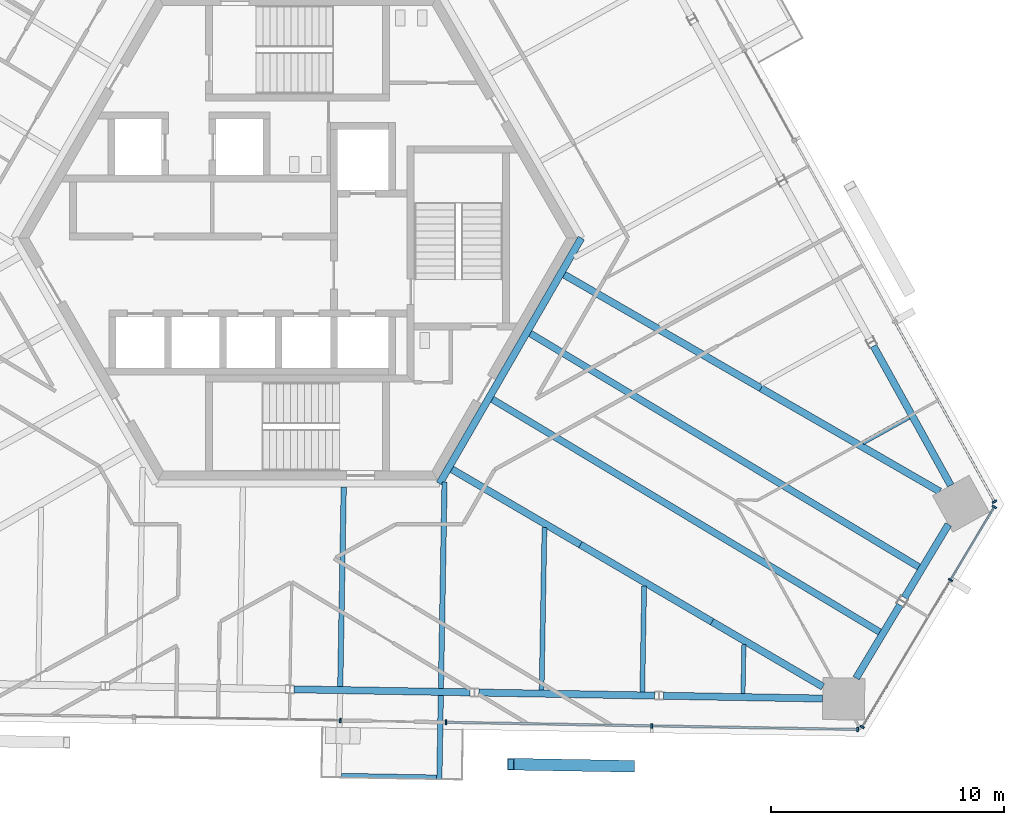
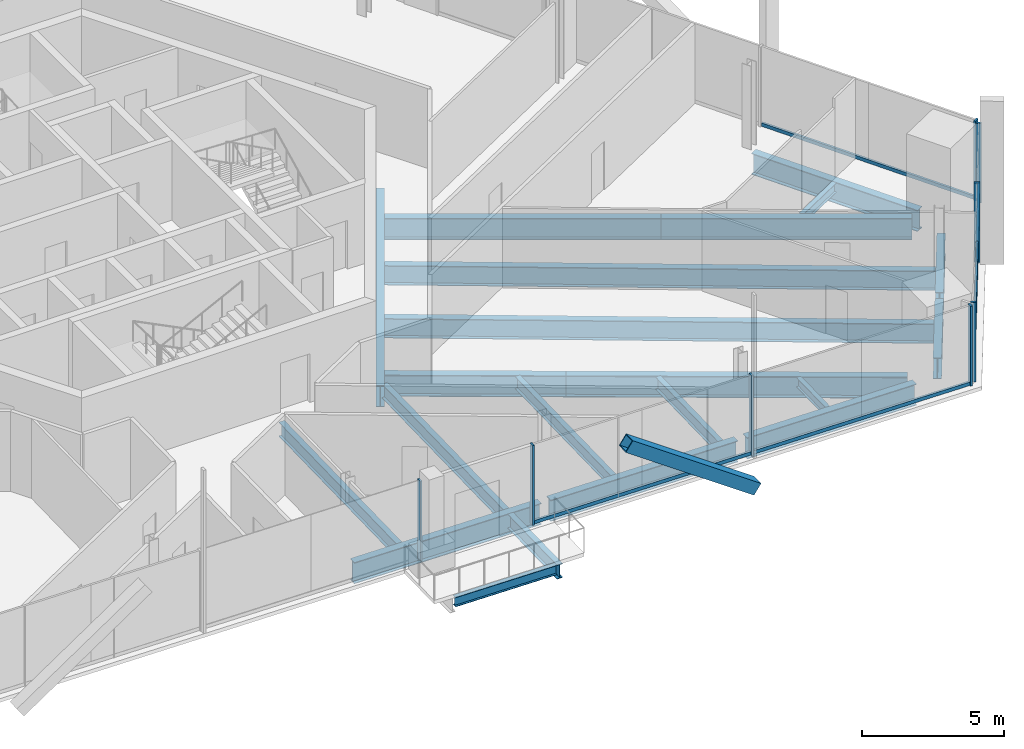
# One storey, part 6 of 21: 22 beams, 14 members, 4 elements without a shape of their own.
"""IFC4 building model written with IfcOpenShell, lengths in metres."""

import ifcopenshell
import ifcopenshell.guid

model = None  # the IFC model being written
_history = None  # IfcOwnerHistory: only IFC2X3 demands one
_inside = {}  # id of a spatial element -> (the spatial element, [elements in it])
_under = {}  # id of a project, library or spatial element -> (it, [spatial elements below it])
_declared = {}  # id of a project -> (the project, [libraries it declares])
_typed = {}  # id of a type object -> (the type object, [elements of that type])
_made_of = {}  # id of a material, layer set ... -> (it, [elements and type objects made of it])


def new_model(schema):
    """Start an empty IFC model of exactly this schema.

    Asked for "IFC4X3", IfcOpenShell would pick the latest addendum, in which some entities
    have other attributes; the version numbers below select the first issue.
    IFC2X3 requires an IfcOwnerHistory on every rooted entity: one is made here for all.
    """
    global model, _history
    if schema == "IFC4X3":
        model = ifcopenshell.file(schema_version=(4, 3, 0, 0))
    else:
        model = ifcopenshell.file(schema=schema)
    _inside.clear()
    _under.clear()
    _declared.clear()
    _typed.clear()
    _made_of.clear()
    _history = None
    if model.schema == "IFC2X3":
        org = make("IfcOrganization", Name="unknown")
        user = make(
            "IfcPersonAndOrganization",
            ThePerson=make("IfcPerson", FamilyName="unknown"),
            TheOrganization=org,
        )
        app = make(
            "IfcApplication",
            ApplicationDeveloper=org,
            Version="unknown",
            ApplicationFullName="unknown",
            ApplicationIdentifier="unknown",
        )
        _history = make(
            "IfcOwnerHistory",
            OwningUser=user,
            OwningApplication=app,
            ChangeAction="ADDED",
            CreationDate=0,
        )
    return model


def make(cls, **values):
    """One entity of the class cls with the attributes given. An attribute that is None is left unset."""
    return model.create_entity(
        cls, **{name: value for name, value in values.items() if value is not None}
    )


def rooted(cls, **values):
    """An entity with a GlobalId (a new one), such as an element, a storey or a relation."""
    return make(cls, GlobalId=ifcopenshell.guid.new(), OwnerHistory=_history, **values)


def si_unit(unit_type, name, prefix=None):
    """IfcSIUnit, for example si_unit("LENGTHUNIT", "METRE", prefix="MILLI")."""
    return make("IfcSIUnit", UnitType=unit_type, Prefix=prefix, Name=name)


def assignment(units):
    """IfcUnitAssignment: the units of a project."""
    return None if units is None else make("IfcUnitAssignment", Units=units)


def point(xyz):
    """IfcCartesianPoint."""
    return None if xyz is None else make("IfcCartesianPoint", Coordinates=xyz)


def direction(xyz):
    """IfcDirection."""
    return None if xyz is None else make("IfcDirection", DirectionRatios=xyz)


def frame(location, z_axis=None, x_axis=None):
    """IfcAxis2Placement3D, a coordinate frame: its origin and axes. An axis left out is left unset."""
    return make(
        "IfcAxis2Placement3D",
        Location=point(location),
        Axis=direction(z_axis),
        RefDirection=direction(x_axis),
    )


def frame_2d(location, x_axis=None):
    """IfcAxis2Placement2D, a coordinate frame in the plane: its origin and x axis."""
    return make(
        "IfcAxis2Placement2D", Location=point(location), RefDirection=direction(x_axis)
    )


def origin():
    """The frame at (0, 0, 0) with its axes left unset."""
    return frame((0.0, 0.0, 0.0))


def origin_2d():
    """The frame at (0, 0) in the plane with its x axis left unset."""
    return frame_2d((0.0, 0.0))


def place(relative_to, where):
    """IfcLocalPlacement: puts the frame where relative to a parent placement (None: the world)."""
    return make(
        "IfcLocalPlacement", PlacementRelTo=relative_to, RelativePlacement=where
    )


def context(
    kind, dimensions, precision=None, world=None, true_north=None, identifier=None
):
    """IfcGeometricRepresentationContext, for example the 3D "Model" context."""
    return make(
        "IfcGeometricRepresentationContext",
        ContextIdentifier=identifier,
        ContextType=kind,
        CoordinateSpaceDimension=dimensions,
        Precision=precision,
        WorldCoordinateSystem=world,
        TrueNorth=true_north,
    )


def subcontext(parent, identifier, kind, view, scale=None):
    """IfcGeometricRepresentationSubContext, for example "Body" below "Model"."""
    return make(
        "IfcGeometricRepresentationSubContext",
        ContextIdentifier=identifier,
        ContextType=kind,
        ParentContext=parent,
        TargetScale=scale,
        TargetView=view,
    )


def project(units=None, contexts=None):
    """IfcProject with its units and contexts."""
    return rooted(
        "IfcProject",
        Name="project",
        RepresentationContexts=contexts,
        UnitsInContext=assignment(units),
    )


def spatial(cls, under=None, at=None, **own):
    """A site, building, storey or space (cls), placed at a placement, below another one or the project."""
    s = rooted(cls, ObjectPlacement=at, **own)
    if under is not None:
        _under.setdefault(under.id(), (under, []))[1].append(s)
    return s


def profile(cls, at=None, kind="AREA", **sizes):
    """A parametric profile (cls). Its sizes go by their IFC names, for example OverallWidth=200.0."""
    return make(cls, ProfileType=kind, Position=at, **sizes)


def rectangle(**sizes):
    """IfcRectangleProfileDef."""
    return profile("IfcRectangleProfileDef", **sizes)


def hollow_rectangle(**sizes):
    """IfcRectangleHollowProfileDef."""
    return profile("IfcRectangleHollowProfileDef", **sizes)


def i_section(**sizes):
    """IfcIShapeProfileDef."""
    return profile("IfcIShapeProfileDef", **sizes)


def extrude(swept, where, along, depth):
    """IfcExtrudedAreaSolid: the profile swept, set in the frame where, extruded along a direction by depth."""
    return make(
        "IfcExtrudedAreaSolid",
        SweptArea=swept,
        Position=where,
        ExtrudedDirection=direction(along),
        Depth=depth,
    )


def shape(context_of_items, identifier, shape_type, items):
    """IfcShapeRepresentation: the items that make up one representation, for example the "Body"."""
    return make(
        "IfcShapeRepresentation",
        ContextOfItems=context_of_items,
        RepresentationIdentifier=identifier,
        RepresentationType=shape_type,
        Items=items,
    )


def source(mapping_origin, context_of_items, identifier, shape_type, items):
    """IfcRepresentationMap: a shape defined once, which mapped items show again and again."""
    return make(
        "IfcRepresentationMap",
        MappingOrigin=mapping_origin,
        MappedRepresentation=shape(context_of_items, identifier, shape_type, items),
    )


def transform(
    local_origin,
    x_axis=None,
    y_axis=None,
    z_axis=None,
    scale=None,
    scale2=None,
    scale3=None,
    uniform=True,
):
    """IfcCartesianTransformationOperator3D, or its non-uniform kind. x_axis, y_axis, z_axis: its Axis1, 2, 3."""
    if uniform:
        return make(
            "IfcCartesianTransformationOperator3D",
            Axis1=direction(x_axis),
            Axis2=direction(y_axis),
            LocalOrigin=point(local_origin),
            Scale=scale,
            Axis3=direction(z_axis),
        )
    return make(
        "IfcCartesianTransformationOperator3DnonUniform",
        Axis1=direction(x_axis),
        Axis2=direction(y_axis),
        LocalOrigin=point(local_origin),
        Scale=scale,
        Axis3=direction(z_axis),
        Scale2=scale2,
        Scale3=scale3,
    )


def mapped(mapping_source, mapping_target):
    """IfcMappedItem: shows the shape of a source again, moved by a transform."""
    return make(
        "IfcMappedItem", MappingSource=mapping_source, MappingTarget=mapping_target
    )


def material(Name=None, Category=None):
    """IfcMaterial."""
    return make("IfcMaterial", Name=Name, Category=Category)


def material_profile(
    of_material, cross_section, Name=None, Category=None, Priority=None
):
    """IfcMaterialProfile: a cross section and its material."""
    return make(
        "IfcMaterialProfile",
        Name=Name,
        Material=of_material,
        Profile=cross_section,
        Priority=Priority,
        Category=Category,
    )


def profile_set(profiles, Name=None, composite=None):
    """IfcMaterialProfileSet."""
    return make(
        "IfcMaterialProfileSet",
        Name=Name,
        MaterialProfiles=profiles,
        CompositeProfile=composite,
    )


def made_of(thing, what):
    """Note that an element or type object is made of a material, layer set ...; save() writes the relation."""
    if what is not None:
        _made_of.setdefault(what.id(), (what, []))[1].append(thing)
    return thing


def type_object(cls, material=None, **own):
    """A type object (cls), such as IfcWallType, which elements share."""
    return made_of(rooted(cls, **own), material)


def element(
    cls,
    number,
    at=None,
    inside=None,
    cuts=None,
    type_object=None,
    material=None,
    context=None,
    identifier="Body",
    shape_type=None,
    held_by="IfcProductDefinitionShape",
    body=None,
    shapes=None,
    **own,
):
    """One element of the class cls, such as IfcWall. Its Tag is "e" and its number.

    at: its placement. inside: the storey or other place that contains it. cuts: it is an
    opening in that element (IfcRelVoidsElement). A single representation is given by context,
    identifier, shape_type and body (its items); several are given by shapes. held_by: the class
    of the entity that holds the representations. save() writes the other relations.
    """
    e = rooted(cls, Tag="e%d" % number, ObjectPlacement=at, **own)
    if body is not None:
        shapes = [shape(context, identifier, shape_type, body)]
    if shapes is not None:
        e.Representation = make(held_by, Representations=shapes)
    if inside is not None:
        _inside.setdefault(inside.id(), (inside, []))[1].append(e)
    if cuts is not None:
        rooted(
            "IfcRelVoidsElement", RelatingBuildingElement=cuts, RelatedOpeningElement=e
        )
    if type_object is not None:
        _typed.setdefault(type_object.id(), (type_object, []))[1].append(e)
    return made_of(e, material)


def aggregate(whole, parts):
    """IfcRelAggregates: a whole, such as a stair, and the parts it consists of."""
    return rooted("IfcRelAggregates", RelatingObject=whole, RelatedObjects=parts)


def save(model, path):
    """Write the relations noted so far, then the file.

    IfcRelAggregates (storeys below a building ...), IfcRelContainedInSpatialStructure (elements
    in a storey), IfcRelDefinesByType, IfcRelAssociatesMaterial and IfcRelDeclares: one each for
    every whole, place, type object, material and project.
    """
    for whole, parts in _under.values():
        aggregate(whole, parts)
    for where, things in _inside.values():
        rooted(
            "IfcRelContainedInSpatialStructure",
            RelatedElements=things,
            RelatingStructure=where,
        )
    for kind, things in _typed.values():
        rooted("IfcRelDefinesByType", RelatedObjects=things, RelatingType=kind)
    for what, things in _made_of.values():
        rooted("IfcRelAssociatesMaterial", RelatedObjects=things, RelatingMaterial=what)
    for by, libraries in _declared.values():
        rooted("IfcRelDeclares", RelatingContext=by, RelatedDefinitions=libraries)
    model.write(path)


model = new_model("IFC4")

# Units and contexts
model_context = context("Model", 3, precision=1e-05, world=origin(), true_north=direction((0.0, 1.0)))
body_context = subcontext(model_context, "Body", "Model", "MODEL_VIEW")
ifc_project = project(units=[si_unit("LENGTHUNIT", "METRE"), si_unit("AREAUNIT", "SQUARE_METRE"), si_unit("VOLUMEUNIT", "CUBIC_METRE"), si_unit("PLANEANGLEUNIT", "RADIAN"), si_unit("MASSUNIT", "GRAM", prefix="KILO")], contexts=[model_context])

# Site, building, storey
site_placement = place(None, origin())
site = spatial("IfcSite", under=ifc_project, at=site_placement, CompositionType="ELEMENT")
building_placement = place(site_placement, origin())
building = spatial("IfcBuilding", under=site, at=building_placement, Name="Triune Harvest Tower", CompositionType="ELEMENT")
storey_placement = place(building_placement, frame((0.0, 0.0, 187.10009765625)))
storey = spatial("IfcBuildingStorey", under=building, at=storey_placement, Name="L48", CompositionType="ELEMENT", Elevation=187.10009765625)

# Beams
ifc_material_1 = material(Name="Steel ASTM A992 Gr 50", Category="steel")
ifc_material_profile_1 = material_profile(ifc_material_1, i_section(OverallWidth=0.3046875, OverallDepth=0.914306640625, WebThickness=0.0166015625, FlangeThickness=0.02587890625, at=origin_2d()), Name="W36x160")
ifc_profile_set_1 = profile_set([ifc_material_profile_1], Name="Steel ASTM A992 Gr 50")
beam_type_1 = type_object("IfcBeamType", Name="CG-1 Core ring girder W36x160", PredefinedType="BEAM", material=ifc_profile_set_1)
shared_shape_1 = source(origin(), body_context, "Body", "SweptSolid", [
    extrude(i_section(OverallWidth=0.3046875, OverallDepth=0.914306640625, WebThickness=0.0166015625, FlangeThickness=0.02587890625, at=origin_2d()), origin(), (0.0, 0.0, 1.0), 12.176025390625),
])
beam_1_placement = place(storey_placement, frame((6.087890625, -10.544677734375, -0.6171875), z_axis=(0.5000099932, 0.866019634131, 0.0), x_axis=(-0.866019634131, 0.5000099932, 0.0)))
element("IfcBeam", 1, at=beam_1_placement, inside=storey, type_object=beam_type_1, Name="beam/L48/CG6", PredefinedType="BEAM", context=body_context, shape_type="MappedRepresentation", body=[
    mapped(shared_shape_1, transform((0.0, 0.0, 0.0), scale=1.0)),
])
ifc_material_2 = material(Name="Steel ASTM A992 Gr 50", Category="steel")
ifc_material_profile_2 = material_profile(ifc_material_2, i_section(OverallWidth=0.307373046875, OverallDepth=0.922119140625, WebThickness=0.018310546875, FlangeThickness=0.030029296875, at=origin_2d()), Name="W36x182")
ifc_profile_set_2 = profile_set([ifc_material_profile_2], Name="Steel ASTM A992 Gr 50")
beam_type_2 = type_object("IfcBeamType", Name="HG-2 Hip girder W36x182", PredefinedType="BEAM", material=ifc_profile_set_2)
shared_shape_2 = source(origin(), body_context, "Body", "SweptSolid", [
    extrude(i_section(OverallWidth=0.307373046875, OverallDepth=0.922119140625, WebThickness=0.018310546875, FlangeThickness=0.030029296875, at=origin_2d()), origin(), (0.0, 0.0, 1.0), 9.7568359375),
])
beam_2_placement = place(storey_placement, frame((19.893310546875, -6.451904296875, -0.62109375), z_axis=(-0.866026409454, 0.499998258125, 0.0), x_axis=(-0.499998258125, -0.866026409454, 0.0)))
element("IfcBeam", 2, at=beam_2_placement, inside=storey, type_object=beam_type_2, Name="beam/L48/HG2", PredefinedType="BEAM", context=body_context, shape_type="MappedRepresentation", body=[
    mapped(shared_shape_2, transform((0.0, 0.0, 0.0), scale=1.0)),
])
shared_shape_3 = source(origin(), body_context, "Body", "SweptSolid", [
    extrude(i_section(OverallWidth=0.307373046875, OverallDepth=0.922119140625, WebThickness=0.018310546875, FlangeThickness=0.030029296875, at=origin_2d()), origin(), (0.0, 0.0, 1.0), 6.549560546875),
])
beam_3_placement = place(storey_placement, frame((17.789306640625, -16.475341796875, -0.62109375), z_axis=(-0.862742829324, 0.50564296737, 0.0), x_axis=(-0.50564296737, -0.862742829324, 0.0)))
element("IfcBeam", 3, at=beam_3_placement, inside=storey, type_object=beam_type_2, Name="beam/L48/HG9", PredefinedType="BEAM", context=body_context, shape_type="MappedRepresentation", body=[
    mapped(shared_shape_3, transform((0.0, 0.0, 0.0), scale=1.0)),
])
shared_shape_4 = source(origin(), body_context, "Body", "SweptSolid", [
    extrude(i_section(OverallWidth=0.307373046875, OverallDepth=0.922119140625, WebThickness=0.018310546875, FlangeThickness=0.030029296875, at=origin_2d()), origin(), (0.0, 0.0, 1.0), 6.397216796875),
])
beam_4_placement = place(storey_placement, frame((12.138671875, -13.16357421875, -0.62109375), z_axis=(-0.862754230068, 0.505623514583, 0.0), x_axis=(-0.505623514583, -0.862754230068, 0.0)))
element("IfcBeam", 4, at=beam_4_placement, inside=storey, type_object=beam_type_2, Name="beam/L48/HG10", PredefinedType="BEAM", context=body_context, shape_type="MappedRepresentation", body=[
    mapped(shared_shape_4, transform((0.0, 0.0, 0.0), scale=1.0)),
])
ifc_material_3 = material(Name="Steel ASTM A992 Gr 50", Category="steel")
ifc_material_profile_3 = material_profile(ifc_material_3, i_section(OverallWidth=0.3046875, OverallDepth=0.914306640625, WebThickness=0.0166015625, FlangeThickness=0.02587890625, at=origin_2d()), Name="W36x160")
ifc_profile_set_3 = profile_set([ifc_material_profile_3], Name="Steel ASTM A992 Gr 50")
beam_type_3 = type_object("IfcBeamType", Name="SB-1 Spandrel beam W36x160", PredefinedType="SPANDREL", material=ifc_profile_set_3)
shared_shape_5 = source(origin(), body_context, "Body", "SweptSolid", [
    extrude(i_section(OverallWidth=0.3046875, OverallDepth=0.914306640625, WebThickness=0.0166015625, FlangeThickness=0.02587890625, at=origin_2d()), origin(), (0.0, 0.0, 1.0), 6.841796875),
])
for number, where, z_axis, x_axis, name in (
    (5, (28.0390625, -10.61962890625, -0.6171875), (-0.484833781575, 0.87460631386, 0.0), (-0.87460631386, -0.484833781575, 0.0), "beam/L48/SB1"),
    (6, (15.69921875, -19.65185546875, -0.6171875), (0.999847128578, -0.017484835582, 0.0), (0.017484835582, 0.999847128578, 0.0), "beam/L48/SB22"),
):
    element("IfcBeam", number, at=place(storey_placement, frame(where, z_axis=z_axis, x_axis=x_axis)), inside=storey, type_object=beam_type_3, Name=name, PredefinedType="SPANDREL", context=body_context, shape_type="MappedRepresentation", body=[
        mapped(shared_shape_5, transform((0.0, 0.0, 0.0), scale=1.0)),
    ])
shared_shape_6 = source(origin(), body_context, "Body", "SweptSolid", [
    extrude(i_section(OverallWidth=0.3046875, OverallDepth=0.914306640625, WebThickness=0.0166015625, FlangeThickness=0.02587890625, at=origin_2d()), origin(), (0.0, 0.0, 1.0), 3.66357421875),
])
beam_5_placement = place(storey_placement, frame((23.97509765625, -18.896240234375, -0.6171875), z_axis=(0.51504443288, 0.857163480416, 0.0), x_axis=(-0.857163480416, 0.51504443288, 0.0)))
element("IfcBeam", 7, at=beam_5_placement, inside=storey, type_object=beam_type_3, Name="beam/L48/SB23", PredefinedType="SPANDREL", context=body_context, shape_type="MappedRepresentation", body=[
    mapped(shared_shape_6, transform((0.0, 0.0, 0.0), scale=1.0)),
])
shared_shape_7 = source(origin(), body_context, "Body", "SweptSolid", [
    extrude(i_section(OverallWidth=0.3046875, OverallDepth=0.914306640625, WebThickness=0.0166015625, FlangeThickness=0.02587890625, at=origin_2d()), origin(), (0.0, 0.0, 1.0), 7.556640625),
])
for number, where, z_axis, x_axis, name in (
    (8, (-0.15283203125, -19.375244140625, -0.6171875), (0.999847797686, -0.017446531514, 0.0), (0.017446531514, 0.999847797686, 0.0), "beam/L48/SB20"),
    (9, (7.773193359375, -19.513671875, -0.6171875), (0.999847797686, -0.017446531514, 0.0), (0.017446531514, 0.999847797686, 0.0), "beam/L48/SB21"),
):
    element("IfcBeam", number, at=place(storey_placement, frame(where, z_axis=z_axis, x_axis=x_axis)), inside=storey, type_object=beam_type_3, Name=name, PredefinedType="SPANDREL", context=body_context, shape_type="MappedRepresentation", body=[
        mapped(shared_shape_7, transform((0.0, 0.0, 0.0), scale=1.0)),
    ])
shared_shape_8 = source(origin(), body_context, "Body", "SweptSolid", [
    extrude(i_section(OverallWidth=0.3046875, OverallDepth=0.914306640625, WebThickness=0.0166015625, FlangeThickness=0.02587890625, at=origin_2d()), origin(), (0.0, 0.0, 1.0), 3.663818359375),
])
beam_6_placement = place(storey_placement, frame((26.052978515625, -15.43798828125, -0.6171875), z_axis=(0.515093391182, 0.857134060903, 0.0), x_axis=(-0.857134060903, 0.515093391182, 0.0)))
element("IfcBeam", 10, at=beam_6_placement, inside=storey, type_object=beam_type_3, Name="beam/L48/SB24", PredefinedType="SPANDREL", context=body_context, shape_type="MappedRepresentation", body=[
    mapped(shared_shape_8, transform((0.0, 0.0, 0.0), scale=1.0)),
])
shared_shape_9 = source(origin(), body_context, "Body", "SweptSolid", [
    extrude(i_section(OverallWidth=0.307373046875, OverallDepth=0.922119140625, WebThickness=0.018310546875, FlangeThickness=0.030029296875, at=origin_2d()), origin(), (0.0, 0.0, 1.0), 8.859619140625),
])
beam_7_placement = place(storey_placement, frame((27.56591796875, -10.8818359375, -0.62109375), z_axis=(-0.866018088107, 0.500012670911, 0.0), x_axis=(-0.500012670911, -0.866018088107, 0.0)))
element("IfcBeam", 11, at=beam_7_placement, inside=storey, type_object=beam_type_2, Name="beam/L48/HG1", PredefinedType="BEAM", context=body_context, shape_type="MappedRepresentation", body=[
    mapped(shared_shape_9, transform((0.0, 0.0, 0.0), scale=1.0)),
])
shared_shape_10 = source(origin(), body_context, "Body", "SweptSolid", [
    extrude(i_section(OverallWidth=0.307373046875, OverallDepth=0.922119140625, WebThickness=0.018310546875, FlangeThickness=0.030029296875, at=origin_2d()), origin(), (0.0, 0.0, 1.0), 5.516845703125),
])
beam_8_placement = place(storey_placement, frame((22.548828125, -19.264892578125, -0.62109375), z_axis=(-0.862738579495, 0.505650218482, 0.0), x_axis=(-0.505650218482, -0.862738579495, 0.0)))
element("IfcBeam", 12, at=beam_8_placement, inside=storey, type_object=beam_type_2, Name="beam/L48/HG8", PredefinedType="BEAM", context=body_context, shape_type="MappedRepresentation", body=[
    mapped(shared_shape_10, transform((0.0, 0.0, 0.0), scale=1.0)),
])
ifc_material_4 = material(Name="Steel ASTM A992 Gr 50", Category="steel")
ifc_material_profile_4 = material_profile(ifc_material_4, i_section(OverallWidth=0.180908203125, OverallDepth=0.41650390625, WebThickness=0.010986328125, FlangeThickness=0.01806640625, at=origin_2d()), Name="W16x57")
ifc_profile_set_4 = profile_set([ifc_material_profile_4], Name="Steel ASTM A992 Gr 50")
beam_type_4 = type_object("IfcBeamType", Name="JT-1 Floor joist W16x57", PredefinedType="JOIST", material=ifc_profile_set_4)
shared_shape_11 = source(origin(), body_context, "Body", "SweptSolid", [
    extrude(i_section(OverallWidth=0.180908203125, OverallDepth=0.41650390625, WebThickness=0.010986328125, FlangeThickness=0.01806640625, at=origin_2d()), origin(), (0.0, 0.0, 1.0), 2.266357421875),
])
beam_9_placement = place(storey_placement, frame((26.24560546875, -7.698974609375, -0.368408203125), z_axis=(-0.874639585413, -0.484773757157, 0.0), x_axis=(0.484773757157, -0.874639585413, 0.0)))
element("IfcBeam", 13, at=beam_9_placement, inside=storey, type_object=beam_type_4, Name="beam/L48/JT1", PredefinedType="JOIST", context=body_context, shape_type="MappedRepresentation", body=[
    mapped(shared_shape_11, transform((0.0, 0.0, 0.0), scale=1.0)),
])
ifc_material_5 = material(Name="Steel ASTM A992 Gr 50", Category="steel")
ifc_material_profile_5 = material_profile(ifc_material_5, i_section(OverallWidth=0.2919921875, OverallDepth=0.8408203125, WebThickness=0.0146484375, FlangeThickness=0.021728515625, at=origin_2d()), Name="W33x130")
ifc_profile_set_5 = profile_set([ifc_material_profile_5], Name="Steel ASTM A992 Gr 50")
beam_type_5 = type_object("IfcBeamType", Name="JT-6 Floor joist W33x130", PredefinedType="JOIST", material=ifc_profile_set_5)
shared_shape_12 = source(origin(), body_context, "Body", "SweptSolid", [
    extrude(i_section(OverallWidth=0.2919921875, OverallDepth=0.8408203125, WebThickness=0.0146484375, FlangeThickness=0.021728515625, at=origin_2d()), origin(), (0.0, 0.0, 1.0), 19.403564453125),
])
beam_10_placement = place(storey_placement, frame((24.98779296875, -16.915283203125, -0.58056640625), z_axis=(-0.857165243619, 0.515041498456, 0.0), x_axis=(-0.515041498456, -0.857165243619, 0.0)))
element("IfcBeam", 14, at=beam_10_placement, inside=storey, type_object=beam_type_5, Name="beam/L48/JT35", PredefinedType="JOIST", context=body_context, shape_type="MappedRepresentation", body=[
    mapped(shared_shape_12, transform((0.0, 0.0, 0.0), scale=1.0)),
])
shared_shape_13 = source(origin(), body_context, "Body", "SweptSolid", [
    extrude(i_section(OverallWidth=0.2919921875, OverallDepth=0.8408203125, WebThickness=0.0146484375, FlangeThickness=0.021728515625, at=origin_2d()), origin(), (0.0, 0.0, 1.0), 19.460205078125),
])
beam_11_placement = place(storey_placement, frame((26.666259765625, -14.12158203125, -0.58056640625), z_axis=(-0.85716841359, 0.515036222749, 0.0), x_axis=(-0.515036222749, -0.85716841359, 0.0)))
element("IfcBeam", 15, at=beam_11_placement, inside=storey, type_object=beam_type_5, Name="beam/L48/JT36", PredefinedType="JOIST", context=body_context, shape_type="MappedRepresentation", body=[
    mapped(shared_shape_13, transform((0.0, 0.0, 0.0), scale=1.0)),
])
ifc_material_6 = material(Name="Steel ASTM A992 Gr 50", Category="steel")
ifc_material_profile_6 = material_profile(ifc_material_6, i_section(OverallWidth=0.22900390625, OverallDepth=0.612060546875, WebThickness=0.011962890625, FlangeThickness=0.01953125, at=origin_2d()), Name="W24x84")
ifc_profile_set_6 = profile_set([ifc_material_profile_6], Name="Steel ASTM A992 Gr 50")
beam_type_6 = type_object("IfcBeamType", Name="JT-3 Floor joist W24x84", PredefinedType="JOIST", material=ifc_profile_set_6)
shared_shape_14 = source(origin(), body_context, "Body", "SweptSolid", [
    extrude(i_section(OverallWidth=0.22900390625, OverallDepth=0.612060546875, WebThickness=0.011962890625, FlangeThickness=0.01953125, at=origin_2d()), origin(), (0.0, 0.0, 1.0), 8.5615234375),
])
beam_12_placement = place(storey_placement, frame((1.826171875, -19.25732421875, -0.46630859375), z_axis=(0.017451638412, 0.999847708562, 0.0), x_axis=(-0.999847708562, 0.017451638412, 0.0)))
element("IfcBeam", 16, at=beam_12_placement, inside=storey, type_object=beam_type_6, Name="beam/L48/JT30", PredefinedType="JOIST", context=body_context, shape_type="MappedRepresentation", body=[
    mapped(shared_shape_14, transform((0.0, 0.0, 0.0), scale=1.0)),
])
shared_shape_15 = source(origin(), body_context, "Body", "SweptSolid", [
    extrude(i_section(OverallWidth=0.180908203125, OverallDepth=0.41650390625, WebThickness=0.010986328125, FlangeThickness=0.01806640625, at=origin_2d()), origin(), (0.0, 0.0, 1.0), 2.104736328125),
])
beam_13_placement = place(storey_placement, frame((19.119384765625, -19.55908203125, -0.368408203125), z_axis=(0.017398758065, 0.999848630152, 0.0), x_axis=(-0.999848630152, 0.017398758065, 0.0)))
element("IfcBeam", 17, at=beam_13_placement, inside=storey, type_object=beam_type_4, Name="beam/L48/JT34", PredefinedType="JOIST", context=body_context, shape_type="MappedRepresentation", body=[
    mapped(shared_shape_15, transform((0.0, 0.0, 0.0), scale=1.0)),
])
shared_shape_16 = source(origin(), body_context, "Body", "SweptSolid", [
    extrude(i_section(OverallWidth=0.22900390625, OverallDepth=0.612060546875, WebThickness=0.011962890625, FlangeThickness=0.01953125, at=origin_2d()), origin(), (0.0, 0.0, 1.0), 8.859130859375),
])
beam_14_placement = place(storey_placement, frame((6.1494140625, -19.3330078125, -0.46630859375), z_axis=(0.017472043805, 0.999847352192, 0.0), x_axis=(-0.999847352192, 0.017472043805, 0.0)))
element("IfcBeam", 18, at=beam_14_placement, inside=storey, type_object=beam_type_6, Name="beam/L48/JT31", PredefinedType="JOIST", context=body_context, shape_type="MappedRepresentation", body=[
    mapped(shared_shape_16, transform((0.0, 0.0, 0.0), scale=1.0)),
])
ifc_material_7 = material(Name="Steel ASTM A992 Gr 50", Category="steel")
ifc_material_profile_7 = material_profile(ifc_material_7, i_section(OverallWidth=0.2099609375, OverallDepth=0.535888671875, WebThickness=0.010986328125, FlangeThickness=0.017333984375, at=origin_2d()), Name="W21x68")
ifc_profile_set_7 = profile_set([ifc_material_profile_7], Name="Steel ASTM A992 Gr 50")
beam_type_7 = type_object("IfcBeamType", Name="JT-2 Floor joist W21x68", PredefinedType="JOIST", material=ifc_profile_set_7)
shared_shape_17 = source(origin(), body_context, "Body", "SweptSolid", [
    extrude(i_section(OverallWidth=0.2099609375, OverallDepth=0.535888671875, WebThickness=0.010986328125, FlangeThickness=0.017333984375, at=origin_2d()), origin(), (0.0, 0.0, 1.0), 6.972412109375),
])
beam_15_placement = place(storey_placement, frame((10.47265625, -19.408203125, -0.427978515625), z_axis=(0.017472380522, 0.999847346308, 0.0), x_axis=(-0.999847346308, 0.017472380522, 0.0)))
element("IfcBeam", 19, at=beam_15_placement, inside=storey, type_object=beam_type_7, Name="beam/L48/JT32", PredefinedType="JOIST", context=body_context, shape_type="MappedRepresentation", body=[
    mapped(shared_shape_17, transform((0.0, 0.0, 0.0), scale=1.0)),
])
shared_shape_18 = source(origin(), body_context, "Body", "SweptSolid", [
    extrude(i_section(OverallWidth=0.2099609375, OverallDepth=0.535888671875, WebThickness=0.010986328125, FlangeThickness=0.017333984375, at=origin_2d()), origin(), (0.0, 0.0, 1.0), 4.5390625),
])
beam_16_placement = place(storey_placement, frame((14.7958984375, -19.48388671875, -0.427978515625), z_axis=(0.017480786476, 0.999847199378, 0.0), x_axis=(-0.999847199378, 0.017480786476, 0.0)))
element("IfcBeam", 20, at=beam_16_placement, inside=storey, type_object=beam_type_7, Name="beam/L48/JT33", PredefinedType="JOIST", context=body_context, shape_type="MappedRepresentation", body=[
    mapped(shared_shape_18, transform((0.0, 0.0, 0.0), scale=1.0)),
])

# Member
ifc_material_8 = material(Name="Steel ASTM A572 Gr 50", Category="steel")
ifc_material_profile_8 = material_profile(ifc_material_8, hollow_rectangle(XDim=0.5, YDim=0.5, WallThickness=0.030029296875, at=origin_2d()), Name="Box 500x500x30")
ifc_profile_set_8 = profile_set([ifc_material_profile_8], Name="Steel ASTM A572 Gr 50")
member_type_1 = type_object("IfcMemberType", Name="BR-3 Brace Box 500x500x30", PredefinedType="BRACE", material=ifc_profile_set_8)
shared_shape_19 = source(origin(), body_context, "Body", "SweptSolid", [
    extrude(hollow_rectangle(XDim=0.5, YDim=0.5, WallThickness=0.030029296875, at=origin_2d()), origin(), (0.0, 0.0, 1.0), 6.302734375),
])
member_1_placement = place(storey_placement, frame((14.31982421875, -22.680419921875, 0.0), z_axis=(-0.820720607843, 0.014332009859, 0.57114996048), x_axis=(-0.017460052757, -0.99984756166, 0.0)))
element("IfcMember", 21, at=member_1_placement, inside=storey, type_object=member_type_1, Name="brace/B5-F5/d2/3", PredefinedType="BRACE", context=body_context, shape_type="MappedRepresentation", body=[
    mapped(shared_shape_19, transform((0.0, 0.0, 0.0), scale=1.0)),
])

# Curtain wall, members
ifc_material_9 = material(Name="Aluminium bronze anodised", Category="aluminium")
curtain_wall_type_1 = type_object("IfcCurtainWallType", Name="CW-1 Tower stick curtain wall", PredefinedType="NOTDEFINED", material=ifc_material_9)
curtain_wall_1_placement = place(storey_placement, origin())
curtain_wall_1 = element("IfcCurtainWall", 22, at=curtain_wall_1_placement, inside=storey, type_object=curtain_wall_type_1, Name="CW-1 B5-F6 L48 run 1")
ifc_material_10 = material(Name="Aluminium bronze anodised", Category="aluminium")
ifc_material_profile_9 = material_profile(ifc_material_10, rectangle(XDim=0.199951171875, YDim=0.074951171875, at=origin_2d()), Name="MU-1 mullion 75 x 200")
ifc_profile_set_9 = profile_set([ifc_material_profile_9], Name="Aluminium bronze anodised")
member_type_2 = type_object("IfcMemberType", Name="MU-1 mullion 75 x 200", PredefinedType="MULLION", material=ifc_profile_set_9)
shared_shape_20 = source(origin(), body_context, "Body", "SweptSolid", [
    extrude(rectangle(XDim=0.199951171875, YDim=0.074951171875, at=origin_2d()), origin(), (0.0, 0.0, 1.0), 3.43994140625),
])
member_2_placement = place(storey_placement, frame((24.234619140625, -20.992919921875, 0.0), z_axis=(0.0, 0.0, 1.0), x_axis=(-0.857168135313, 0.515036685882, 0.0)))
member_2 = element("IfcMember", 23, at=member_2_placement, type_object=member_type_2, Name="CW-1 mullion B5-F6 1.1", PredefinedType="MULLION", context=body_context, shape_type="MappedRepresentation", body=[
    mapped(shared_shape_20, transform((0.0, 0.0, 0.0), scale=1.0)),
])
member_3_placement = place(storey_placement, frame((28.026611328125, -14.681884765625, 0.0), z_axis=(0.0, 0.0, 1.0), x_axis=(-0.857168135313, 0.515036685882, 0.0)))
member_3 = element("IfcMember", 24, at=member_3_placement, type_object=member_type_2, Name="CW-1 mullion B5-F6 1.3", PredefinedType="MULLION", context=body_context, shape_type="MappedRepresentation", body=[
    mapped(shared_shape_20, transform((0.0, 0.0, 0.0), scale=1.0)),
])
member_4_placement = place(storey_placement, frame((29.912841796875, -11.54248046875, 0.0), z_axis=(0.0, 0.0, 1.0), x_axis=(-0.857168135313, 0.515036685882, 0.0)))
member_4 = element("IfcMember", 25, at=member_4_placement, type_object=member_type_2, Name="CW-1 mullion B5-F6 1.4", PredefinedType="MULLION", context=body_context, shape_type="MappedRepresentation", body=[
    mapped(shared_shape_20, transform((0.0, 0.0, 0.0), scale=1.0)),
])

# Curtain wall, member
ifc_material_11 = material(Name="Aluminium bronze anodised", Category="aluminium")
curtain_wall_type_2 = type_object("IfcCurtainWallType", Name="CW-10 Balcony window wall with insulated spandrel infill", PredefinedType="NOTDEFINED", material=ifc_material_11)
curtain_wall_2_placement = place(storey_placement, origin())
curtain_wall_2 = element("IfcCurtainWall", 26, at=curtain_wall_2_placement, inside=storey, type_object=curtain_wall_type_2, Name="CW-10 B5-F1 L48 run 1")
ifc_material_12 = material(Name="Aluminium bronze anodised", Category="aluminium")
ifc_material_profile_10 = material_profile(ifc_material_12, rectangle(XDim=0.199951171875, YDim=0.074951171875, at=origin_2d()), Name="MU-6 mullion 75 x 200")
ifc_profile_set_10 = profile_set([ifc_material_profile_10], Name="Aluminium bronze anodised")
member_type_3 = type_object("IfcMemberType", Name="MU-6 mullion 75 x 200", PredefinedType="MULLION", material=ifc_profile_set_10)
shared_shape_21 = source(origin(), body_context, "Body", "SweptSolid", [
    extrude(rectangle(XDim=0.199951171875, YDim=0.074951171875, at=origin_2d()), origin(), (0.0, 0.0, 1.0), 3.43994140625),
])
member_5_placement = place(storey_placement, frame((29.916748046875, -11.321533203125, 0.0), z_axis=(0.0, 0.0, 1.0), x_axis=(-0.874621435172, -0.48480650278, 0.0)))
member_5 = element("IfcMember", 27, at=member_5_placement, type_object=member_type_3, Name="CW-10 mullion B5-F1 1.1", PredefinedType="MULLION", context=body_context, shape_type="MappedRepresentation", body=[
    mapped(shared_shape_21, transform((0.0, 0.0, 0.0), scale=1.0)),
])

ifc_material_13 = material(Name="Aluminium bronze anodised", Category="aluminium")
curtain_wall_type_3 = type_object("IfcCurtainWallType", Name="CW-6 Balcony window wall", PredefinedType="NOTDEFINED", material=ifc_material_13)
curtain_wall_3_placement = place(storey_placement, origin())
curtain_wall_3 = element("IfcCurtainWall", 28, at=curtain_wall_3_placement, inside=storey, type_object=curtain_wall_type_3, Name="CW-6 B5-F5 L48 run 1001")
member_6_placement = place(storey_placement, frame((1.83154296875, -20.712158203125, 0.0), z_axis=(0.0, 0.0, 1.0), x_axis=(0.017452234357, 0.99984769816, 0.0)))
member_6 = element("IfcMember", 29, at=member_6_placement, type_object=member_type_3, Name="CW-6 mullion B5-F5 1001.3", PredefinedType="MULLION", context=body_context, shape_type="MappedRepresentation", body=[
    mapped(shared_shape_21, transform((0.0, 0.0, 0.0), scale=1.0)),
])
aggregate(curtain_wall_3, [member_6])

# Curtain wall, members
curtain_wall_4_placement = place(storey_placement, origin())
curtain_wall_4 = element("IfcCurtainWall", 30, at=curtain_wall_4_placement, inside=storey, type_object=curtain_wall_type_2, Name="CW-10 B5-F5 L48 run 2")
member_7_placement = place(storey_placement, frame((6.366455078125, -20.791259765625, 0.0), z_axis=(0.0, 0.0, 1.0), x_axis=(0.017451657526, 0.999847708228, 0.0)))
member_7 = element("IfcMember", 31, at=member_7_placement, type_object=member_type_3, Name="CW-10 mullion B5-F5 2.1", PredefinedType="MULLION", context=body_context, shape_type="MappedRepresentation", body=[
    mapped(shared_shape_21, transform((0.0, 0.0, 0.0), scale=1.0)),
])
member_8_placement = place(storey_placement, frame((15.2041015625, -20.945556640625, 0.0), z_axis=(0.0, 0.0, 1.0), x_axis=(0.017451657526, 0.999847708228, 0.0)))
member_8 = element("IfcMember", 32, at=member_8_placement, type_object=member_type_3, Name="CW-10 mullion B5-F5 2.3", PredefinedType="MULLION", context=body_context, shape_type="MappedRepresentation", body=[
    mapped(shared_shape_21, transform((0.0, 0.0, 0.0), scale=1.0)),
])
member_9_placement = place(storey_placement, frame((24.04150390625, -21.099853515625, 0.0), z_axis=(0.0, 0.0, 1.0), x_axis=(0.017451657526, 0.999847708228, 0.0)))
member_9 = element("IfcMember", 33, at=member_9_placement, type_object=member_type_3, Name="CW-10 mullion B5-F5 2.5", PredefinedType="MULLION", context=body_context, shape_type="MappedRepresentation", body=[
    mapped(shared_shape_21, transform((0.0, 0.0, 0.0), scale=1.0)),
])

# Beam
ifc_material_14 = material(Name="Steel ASTM A992 Gr 50", Category="steel")
ifc_material_profile_11 = material_profile(ifc_material_14, i_section(OverallWidth=0.22900390625, OverallDepth=0.612060546875, WebThickness=0.011962890625, FlangeThickness=0.01953125, at=origin_2d()), Name="W24x84")
ifc_profile_set_11 = profile_set([ifc_material_profile_11], Name="Steel ASTM A992 Gr 50")
beam_type_8 = type_object("IfcBeamType", Name="BJ-3 Balcony cantilever joist W24x84", PredefinedType="JOIST", material=ifc_profile_set_11)
shared_shape_22 = source(origin(), body_context, "Body", "SweptSolid", [
    extrude(i_section(OverallWidth=0.22900390625, OverallDepth=0.612060546875, WebThickness=0.011962890625, FlangeThickness=0.01953125, at=origin_2d()), origin(), (0.0, 0.0, 1.0), 3.597412109375),
])
beam_17_placement = place(storey_placement, frame((6.14404296875, -19.6376953125, -0.46630859375), z_axis=(-0.017441180208, -0.999847891048, 0.0), x_axis=(0.999847891048, -0.017441180208, 0.0)))
element("IfcBeam", 34, at=beam_17_placement, inside=storey, type_object=beam_type_8, Name="Balcony cantilever joist B5-F5 L48.7a", PredefinedType="JOIST", context=body_context, shape_type="MappedRepresentation", body=[
    mapped(shared_shape_22, transform((0.0, 0.0, 0.0), scale=1.0)),
])

# Member
ifc_material_15 = material(Name="Aluminium bronze anodised", Category="aluminium")
ifc_material_profile_12 = material_profile(ifc_material_15, rectangle(XDim=0.090087890625, YDim=0.89990234375, at=origin_2d()), Name="TR-1 transom 90 x 900")
ifc_profile_set_12 = profile_set([ifc_material_profile_12], Name="Aluminium bronze anodised")
member_type_4 = type_object("IfcMemberType", Name="TR-1 transom 90 x 900", PredefinedType="USERDEFINED", material=ifc_profile_set_12)
shared_shape_23 = source(origin(), body_context, "Body", "SweptSolid", [
    extrude(rectangle(XDim=0.090087890625, YDim=0.89990234375, at=origin_2d()), origin(), (0.0, 0.0, 1.0), 7.287841796875),
])
member_10_placement = place(storey_placement, frame((24.25390625, -20.960693359375, 0.449951171875), z_axis=(0.515032643637, 0.857170564117, 0.0), x_axis=(-0.857170564117, 0.515032643637, 0.0)))
member_10 = element("IfcMember", 35, at=member_10_placement, type_object=member_type_4, Name="CW-1 transom B5-F6 1.1", ObjectType="TRANSOM", PredefinedType="USERDEFINED", context=body_context, shape_type="MappedRepresentation", body=[
    mapped(shared_shape_23, transform((0.0, 0.0, 0.0), scale=1.0)),
])

shared_shape_24 = source(origin(), body_context, "Body", "SweptSolid", [
    extrude(rectangle(XDim=0.090087890625, YDim=0.89990234375, at=origin_2d()), origin(), (0.0, 0.0, 1.0), 3.587646484375),
])
member_11_placement = place(storey_placement, frame((28.0458984375, -14.649658203125, 0.449951171875), z_axis=(0.515016056834, 0.857180530112, 0.0), x_axis=(-0.857180530112, 0.515016056834, 0.0)))
member_11 = element("IfcMember", 36, at=member_11_placement, type_object=member_type_4, Name="CW-1 transom B5-F6 1.2", ObjectType="TRANSOM", PredefinedType="USERDEFINED", context=body_context, shape_type="MappedRepresentation", body=[
    mapped(shared_shape_24, transform((0.0, 0.0, 0.0), scale=1.0)),
])

aggregate(curtain_wall_1, [member_2, member_3, member_4, member_10, member_11])

ifc_material_16 = material(Name="Aluminium bronze anodised", Category="aluminium")
ifc_material_profile_13 = material_profile(ifc_material_16, rectangle(XDim=0.090087890625, YDim=0.14990234375, at=origin_2d()), Name="TR-6 transom 90 x 150")
ifc_profile_set_13 = profile_set([ifc_material_profile_13], Name="Aluminium bronze anodised")
member_type_5 = type_object("IfcMemberType", Name="TR-6 transom 90 x 150", PredefinedType="USERDEFINED", material=ifc_profile_set_13)
shared_shape_25 = source(origin(), body_context, "Body", "SweptSolid", [
    extrude(rectangle(XDim=0.090087890625, YDim=0.14990234375, at=origin_2d()), origin(), (0.0, 0.0, 1.0), 8.772705078125),
])
member_12_placement = place(storey_placement, frame((29.898681640625, -11.288818359375, 0.074951171875), z_axis=(-0.484813348474, 0.874617640539, 0.0), x_axis=(-0.874617640539, -0.484813348474, 0.0)))
member_12 = element("IfcMember", 37, at=member_12_placement, type_object=member_type_5, Name="CW-10 transom B5-F1 1.1", ObjectType="TRANSOM", PredefinedType="USERDEFINED", context=body_context, shape_type="MappedRepresentation", body=[
    mapped(shared_shape_25, transform((0.0, 0.0, 0.0), scale=1.0)),
])

aggregate(curtain_wall_2, [member_5, member_12])

# Beam
ifc_material_17 = material(Name="Steel ASTM A992 Gr 50", Category="steel")
ifc_material_profile_14 = material_profile(ifc_material_17, i_section(OverallWidth=0.180908203125, OverallDepth=0.41650390625, WebThickness=0.010986328125, FlangeThickness=0.01806640625, at=origin_2d()), Name="W16x57")
ifc_profile_set_14 = profile_set([ifc_material_profile_14], Name="Steel ASTM A992 Gr 50")
beam_type_9 = type_object("IfcBeamType", Name="BE-1 balcony edge beam W16x57", PredefinedType="BEAM", material=ifc_profile_set_14)
shared_shape_26 = source(origin(), body_context, "Body", "SweptSolid", [
    extrude(i_section(OverallWidth=0.180908203125, OverallDepth=0.41650390625, WebThickness=0.010986328125, FlangeThickness=0.01806640625, at=origin_2d()), origin(), (0.0, 0.0, 1.0), 4.0947265625),
])
beam_18_placement = place(storey_placement, frame((1.874267578125, -23.07080078125, -0.368408203125), z_axis=(0.999847387015, -0.017470050951, 0.0), x_axis=(0.017470050951, 0.999847387015, 0.0)))
element("IfcBeam", 38, at=beam_18_placement, inside=storey, type_object=beam_type_9, Name="Balcony edge beam B5-F5 L48.7", PredefinedType="BEAM", context=body_context, shape_type="MappedRepresentation", body=[
    mapped(shared_shape_26, transform((0.0, 0.0, 0.0), scale=1.0)),
])

# Member
shared_shape_27 = source(origin(), body_context, "Body", "SweptSolid", [
    extrude(rectangle(XDim=0.090087890625, YDim=0.14990234375, at=origin_2d()), origin(), (0.0, 0.0, 1.0), 8.763671875),
])
member_13_placement = place(storey_placement, frame((6.404052734375, -20.7919921875, 0.074951171875), z_axis=(0.999847442144, -0.017466895495, 0.0), x_axis=(0.017466895495, 0.999847442144, 0.0)))
member_13 = element("IfcMember", 39, at=member_13_placement, type_object=member_type_5, Name="CW-10 transom B5-F5 2.1", ObjectType="TRANSOM", PredefinedType="USERDEFINED", context=body_context, shape_type="MappedRepresentation", body=[
    mapped(shared_shape_27, transform((0.0, 0.0, 0.0), scale=1.0)),
])

member_14_placement = place(storey_placement, frame((15.241455078125, -20.9462890625, 0.074951171875), z_axis=(0.999847928273, -0.017439046087, 0.0), x_axis=(0.017439046087, 0.999847928273, 0.0)))
member_14 = element("IfcMember", 40, at=member_14_placement, type_object=member_type_5, Name="CW-10 transom B5-F5 2.2", ObjectType="TRANSOM", PredefinedType="USERDEFINED", context=body_context, shape_type="MappedRepresentation", body=[
    mapped(shared_shape_27, transform((0.0, 0.0, 0.0), scale=1.0)),
])

aggregate(curtain_wall_4, [member_7, member_8, member_9, member_13, member_14])

save(model, "model.ifc")
